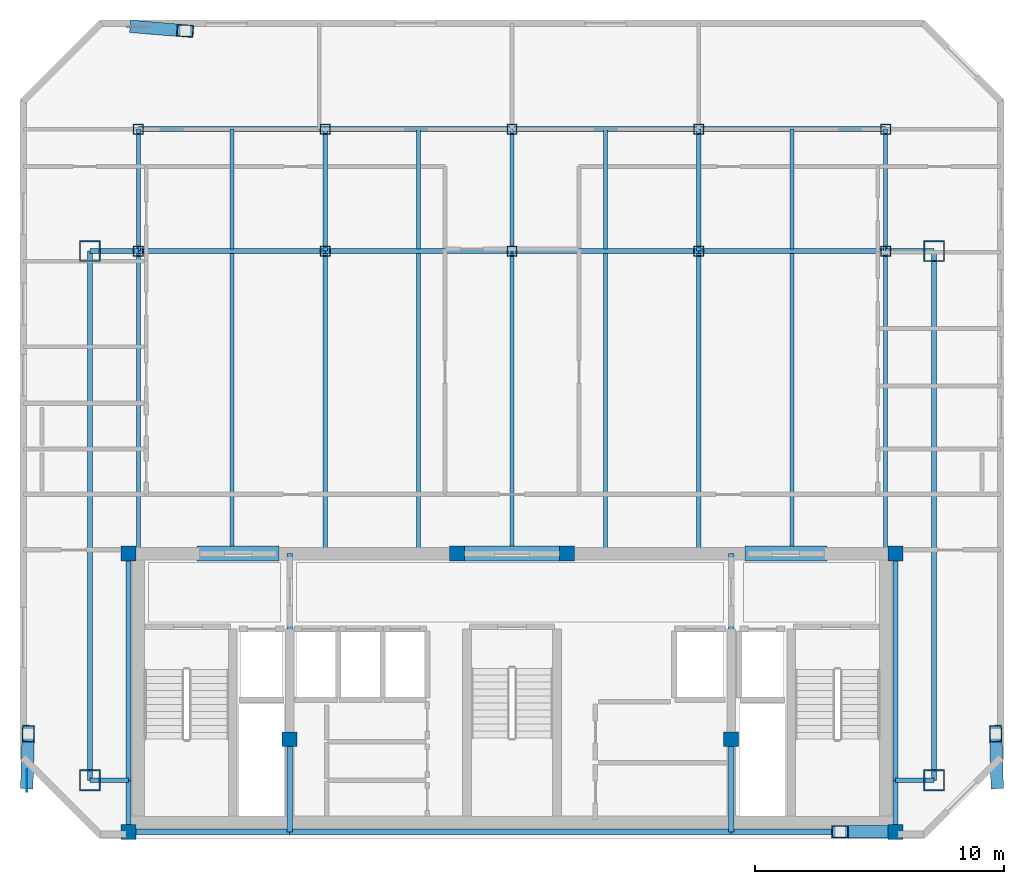
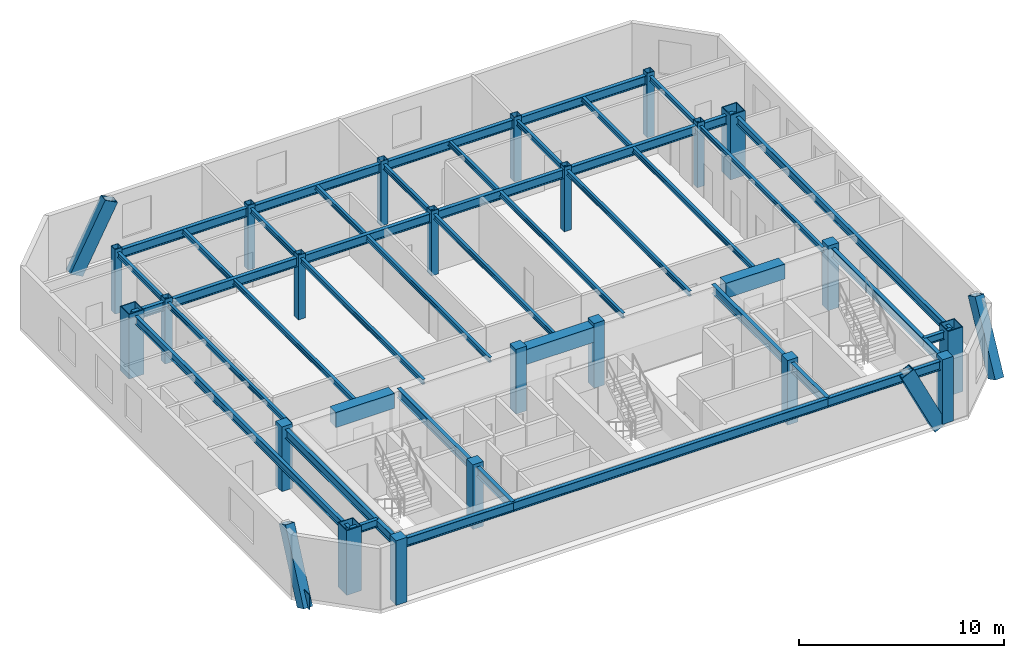
# One storey, part 1 of 7: 46 beams, 22 columns, 4 members, 1 plate.
"""IFC4 building model written with IfcOpenShell, lengths in metres."""

from ifc_helpers import new_model, si_unit, direction, frame, origin, origin_2d, place, context, subcontext, project, spatial, rectangle, hollow_rectangle, i_section, extrude, material, layer, layer_set, material_profile, profile_set, type_object, element, save


model = new_model("IFC4")

# Units and contexts
model_context = context("Model", 3, precision=1e-05, world=origin(), true_north=direction((0.0, 1.0)))
body_context = subcontext(model_context, "Body", "Model", "MODEL_VIEW")
ifc_project = project(units=[si_unit("LENGTHUNIT", "METRE"), si_unit("AREAUNIT", "SQUARE_METRE"), si_unit("VOLUMEUNIT", "CUBIC_METRE"), si_unit("PLANEANGLEUNIT", "RADIAN"), si_unit("MASSUNIT", "GRAM", prefix="KILO")], contexts=[model_context])

# Site, building, storey
site_placement = place(None, origin())
site = spatial("IfcSite", under=ifc_project, at=site_placement, CompositionType="ELEMENT")
building_placement = place(site_placement, origin())
building = spatial("IfcBuilding", under=site, at=building_placement, Name="Ventersveld Concourse Tower", CompositionType="ELEMENT")
storey_placement = place(building_placement, frame((0.0, 0.0, 316.89990234375)))
storey = spatial("IfcBuildingStorey", under=building, at=storey_placement, Name="L78", CompositionType="ELEMENT", Elevation=316.89990234375)

# Columns
ifc_material_1 = material(Name="Concrete C50/60", Category="concrete")
ifc_material_profile_1 = material_profile(ifc_material_1, rectangle(XDim=0.60009765625, YDim=0.60009765625, at=origin_2d()), Name="RC 600x600")
ifc_profile_set_1 = profile_set([ifc_material_profile_1], Name="Concrete C50/60")
column_type_1 = type_object("IfcColumnType", Name="COL-RC600", PredefinedType="COLUMN", material=ifc_profile_set_1)
for number, where, z_axis, x_axis, name in (
    (1, (13.35009765625, 0.280029296875, 0.0), (0.0, 0.0, 1.0), (1.0, 0.0, 0.0), "L78 Core Spine Column CC-SW"),
    (2, (44.14990234375, 0.280029296875, 0.0), (0.0, 0.0, 1.0), (1.0, 0.0, 0.0), "L78 Core Spine Column CC-SE"),
    (3, (13.35009765625, 11.449951171875, 0.0), (0.0, 0.0, 1.0), (1.0, 0.0, 0.0), "L78 Core Spine Column CC-NW"),
    (4, (44.14990234375, 11.449951171875, 0.0), (0.0, 0.0, 1.0), (1.0, 0.0, 0.0), "L78 Core Spine Column CC-NE"),
    (5, (19.820068359375, 4.0, 0.0), (0.0, 0.0, 1.0), (1.0, 0.0, 0.0), "L78 Core Spine Column CM-1"),
    (6, (37.550048828125, 4.0, 0.0), (0.0, 0.0, 1.0), (1.0, 0.0, 0.0), "L78 Core Spine Column CM-2"),
    (7, (26.550048828125, 11.449951171875, 0.0), (0.0, 0.0, 1.0), (1.0, 0.0, 0.0), "L78 Core Spine Column CM-3"),
    (8, (30.949951171875, 11.449951171875, 0.0), (0.0, 0.0, 1.0), (1.0, 0.0, 0.0), "L78 Core Spine Column CM-4"),
):
    element("IfcColumn", number, at=place(storey_placement, frame(where, z_axis=z_axis, x_axis=x_axis)), inside=storey, type_object=column_type_1, Name=name, PredefinedType="COLUMN", context=body_context, shape_type="SweptSolid", body=[
        extrude(rectangle(XDim=0.60009765625, YDim=0.60009765625, at=origin_2d()), origin(), (0.0, 0.0, 1.0), 3.85009765625),
    ])
ifc_material_2 = material(Name="Structural steel S355J2", Category="steel")
ifc_material_profile_2 = material_profile(ifc_material_2, hollow_rectangle(XDim=0.39990234375, YDim=0.39990234375, WallThickness=0.02001953125, at=origin_2d()), Name="SHS 400x400x20")
ifc_profile_set_2 = profile_set([ifc_material_profile_2], Name="Structural steel S355J2")
column_type_2 = type_object("IfcColumnType", Name="COL-SHS400", PredefinedType="COLUMN", material=ifc_profile_set_2)
for number, where, z_axis, x_axis, name in (
    (9, (13.75, 23.60009765625, 0.0), (0.0, 0.0, 1.0), (1.0, 0.0, 0.0), "L78 Interior Gravity Column X=13.75 Y=23.60"),
    (10, (21.25, 23.60009765625, 0.0), (0.0, 0.0, 1.0), (1.0, 0.0, 0.0), "L78 Interior Gravity Column X=21.25 Y=23.60"),
    (11, (28.75, 23.60009765625, 0.0), (0.0, 0.0, 1.0), (1.0, 0.0, 0.0), "L78 Interior Gravity Column X=28.75 Y=23.60"),
    (12, (36.25, 23.60009765625, 0.0), (0.0, 0.0, 1.0), (1.0, 0.0, 0.0), "L78 Interior Gravity Column X=36.25 Y=23.60"),
    (13, (43.75, 23.60009765625, 0.0), (0.0, 0.0, 1.0), (1.0, 0.0, 0.0), "L78 Interior Gravity Column X=43.75 Y=23.60"),
    (14, (13.75, 28.5, 0.0), (0.0, 0.0, 1.0), (1.0, 0.0, 0.0), "L78 Upper-North Gravity Column X=13.75 Y=28.50"),
    (15, (21.25, 28.5, 0.0), (0.0, 0.0, 1.0), (1.0, 0.0, 0.0), "L78 Upper-North Gravity Column X=21.25 Y=28.50"),
    (16, (28.75, 28.5, 0.0), (0.0, 0.0, 1.0), (1.0, 0.0, 0.0), "L78 Upper-North Gravity Column X=28.75 Y=28.50"),
    (17, (36.25, 28.5, 0.0), (0.0, 0.0, 1.0), (1.0, 0.0, 0.0), "L78 Upper-North Gravity Column X=36.25 Y=28.50"),
    (18, (43.75, 28.5, 0.0), (0.0, 0.0, 1.0), (1.0, 0.0, 0.0), "L78 Upper-North Gravity Column X=43.75 Y=28.50"),
):
    element("IfcColumn", number, at=place(storey_placement, frame(where, z_axis=z_axis, x_axis=x_axis)), inside=storey, type_object=column_type_2, Name=name, PredefinedType="COLUMN", context=body_context, shape_type="SweptSolid", body=[
        extrude(hollow_rectangle(XDim=0.39990234375, YDim=0.39990234375, WallThickness=0.02001953125, at=origin_2d()), origin(), (0.0, 0.0, 1.0), 3.85009765625),
    ])
ifc_material_3 = material(Name="Structural steel S460ML", Category="steel")
ifc_material_profile_3 = material_profile(ifc_material_3, hollow_rectangle(XDim=0.85009765625, YDim=0.85009765625, WallThickness=0.050048828125, at=origin_2d()), Name="BOX 850x850x50")
ifc_profile_set_3 = profile_set([ifc_material_profile_3], Name="Structural steel S460ML")
column_type_3 = type_object("IfcColumnType", Name="MC-850", PredefinedType="USERDEFINED", material=ifc_profile_set_3)
for number, where, z_axis, x_axis, name in (
    (19, (11.800048828125, 2.35009765625, 0.0), (0.0, 0.0, 1.0), (1.0, 0.0, 0.0), "L78 Corner Mega-Column MC-SW"),
    (20, (45.699951171875, 2.35009765625, 0.0), (0.0, 0.0, 1.0), (1.0, 0.0, 0.0), "L78 Corner Mega-Column MC-SE"),
    (21, (45.699951171875, 23.60009765625, 0.0), (0.0, 0.0, 1.0), (1.0, 0.0, 0.0), "L78 Corner Mega-Column MC-NE"),
    (22, (11.800048828125, 23.60009765625, 0.0), (0.0, 0.0, 1.0), (1.0, 0.0, 0.0), "L78 Corner Mega-Column MC-NW"),
):
    element("IfcColumn", number, at=place(storey_placement, frame(where, z_axis=z_axis, x_axis=x_axis)), inside=storey, type_object=column_type_3, Name=name, ObjectType="MEGA_COLUMN", PredefinedType="USERDEFINED", context=body_context, shape_type="SweptSolid", body=[
        extrude(hollow_rectangle(XDim=0.85009765625, YDim=0.85009765625, WallThickness=0.050048828125, at=origin_2d()), origin(), (0.0, 0.0, 1.0), 3.85009765625),
    ])

# Beams
ifc_material_profile_4 = material_profile(ifc_material_2, i_section(OverallWidth=0.1650390625, OverallDepth=0.303466796875, WebThickness=0.006103515625, FlangeThickness=0.01025390625, FilletRadius=0.0087890625, at=origin_2d()), Name="UB 305x165x40")
ifc_profile_set_4 = profile_set([ifc_material_profile_4], Name="Structural steel S355J2")
beam_type_1 = type_object("IfcBeamType", Name="BM-UB305", PredefinedType="BEAM", material=ifc_profile_set_4)
beam_1_placement = place(storey_placement, frame((13.75, 11.449951171875, 3.498291015625), z_axis=(0.0, 1.0, 0.0), x_axis=(-1.0, 0.0, 0.0)))
element("IfcBeam", 23, at=beam_1_placement, inside=storey, type_object=beam_type_1, Name="L78 N-S Composite Floor Beam South X=13.75", PredefinedType="BEAM", context=body_context, shape_type="SweptSolid", body=[
    extrude(i_section(OverallWidth=0.1650390625, OverallDepth=0.303466796875, WebThickness=0.006103515625, FlangeThickness=0.01025390625, FilletRadius=0.0087890625, at=origin_2d()), origin(), (0.0, 0.0, 1.0), 12.150146484375),
])
beam_2_placement = place(storey_placement, frame((13.75, 23.60009765625, 3.498291015625), z_axis=(0.0, 1.0, 0.0), x_axis=(-1.0, 0.0, 0.0)))
element("IfcBeam", 24, at=beam_2_placement, inside=storey, type_object=beam_type_1, Name="L78 N-S Upper-Zone Floor Beam X=13.75", PredefinedType="BEAM", context=body_context, shape_type="SweptSolid", body=[
    extrude(i_section(OverallWidth=0.1650390625, OverallDepth=0.303466796875, WebThickness=0.006103515625, FlangeThickness=0.01025390625, FilletRadius=0.0087890625, at=origin_2d()), origin(), (0.0, 0.0, 1.0), 4.89990234375),
])
beam_3_placement = place(storey_placement, frame((17.5, 11.449951171875, 3.498291015625), z_axis=(0.0, 1.0, 0.0), x_axis=(-1.0, 0.0, 0.0)))
element("IfcBeam", 25, at=beam_3_placement, inside=storey, type_object=beam_type_1, Name="L78 N-S Composite Floor Beam South X=17.50", PredefinedType="BEAM", context=body_context, shape_type="SweptSolid", body=[
    extrude(i_section(OverallWidth=0.1650390625, OverallDepth=0.303466796875, WebThickness=0.006103515625, FlangeThickness=0.01025390625, FilletRadius=0.0087890625, at=origin_2d()), origin(), (0.0, 0.0, 1.0), 12.054931640625),
])
beam_4_placement = place(storey_placement, frame((17.5, 23.695068359375, 3.498291015625), z_axis=(0.0, 1.0, 0.0), x_axis=(-1.0, 0.0, 0.0)))
element("IfcBeam", 26, at=beam_4_placement, inside=storey, type_object=beam_type_1, Name="L78 N-S Upper-Zone Floor Beam X=17.50", PredefinedType="BEAM", context=body_context, shape_type="SweptSolid", body=[
    extrude(i_section(OverallWidth=0.1650390625, OverallDepth=0.303466796875, WebThickness=0.006103515625, FlangeThickness=0.01025390625, FilletRadius=0.0087890625, at=origin_2d()), origin(), (0.0, 0.0, 1.0), 4.804931640625),
])
beam_5_placement = place(storey_placement, frame((21.25, 11.449951171875, 3.498291015625), z_axis=(0.0, 1.0, 0.0), x_axis=(-1.0, 0.0, 0.0)))
element("IfcBeam", 27, at=beam_5_placement, inside=storey, type_object=beam_type_1, Name="L78 N-S Composite Floor Beam South X=21.25", PredefinedType="BEAM", context=body_context, shape_type="SweptSolid", body=[
    extrude(i_section(OverallWidth=0.1650390625, OverallDepth=0.303466796875, WebThickness=0.006103515625, FlangeThickness=0.01025390625, FilletRadius=0.0087890625, at=origin_2d()), origin(), (0.0, 0.0, 1.0), 12.150146484375),
])
beam_6_placement = place(storey_placement, frame((21.25, 23.60009765625, 3.498291015625), z_axis=(0.0, 1.0, 0.0), x_axis=(-1.0, 0.0, 0.0)))
element("IfcBeam", 28, at=beam_6_placement, inside=storey, type_object=beam_type_1, Name="L78 N-S Upper-Zone Floor Beam X=21.25", PredefinedType="BEAM", context=body_context, shape_type="SweptSolid", body=[
    extrude(i_section(OverallWidth=0.1650390625, OverallDepth=0.303466796875, WebThickness=0.006103515625, FlangeThickness=0.01025390625, FilletRadius=0.0087890625, at=origin_2d()), origin(), (0.0, 0.0, 1.0), 4.89990234375),
])
beam_7_placement = place(storey_placement, frame((25.0, 11.449951171875, 3.498291015625), z_axis=(0.0, 1.0, 0.0), x_axis=(-1.0, 0.0, 0.0)))
element("IfcBeam", 29, at=beam_7_placement, inside=storey, type_object=beam_type_1, Name="L78 N-S Composite Floor Beam South X=25.00", PredefinedType="BEAM", context=body_context, shape_type="SweptSolid", body=[
    extrude(i_section(OverallWidth=0.1650390625, OverallDepth=0.303466796875, WebThickness=0.006103515625, FlangeThickness=0.01025390625, FilletRadius=0.0087890625, at=origin_2d()), origin(), (0.0, 0.0, 1.0), 12.054931640625),
])
beam_8_placement = place(storey_placement, frame((25.0, 23.695068359375, 3.498291015625), z_axis=(0.0, 1.0, 0.0), x_axis=(-1.0, 0.0, 0.0)))
element("IfcBeam", 30, at=beam_8_placement, inside=storey, type_object=beam_type_1, Name="L78 N-S Upper-Zone Floor Beam X=25.00", PredefinedType="BEAM", context=body_context, shape_type="SweptSolid", body=[
    extrude(i_section(OverallWidth=0.1650390625, OverallDepth=0.303466796875, WebThickness=0.006103515625, FlangeThickness=0.01025390625, FilletRadius=0.0087890625, at=origin_2d()), origin(), (0.0, 0.0, 1.0), 4.804931640625),
])
beam_9_placement = place(storey_placement, frame((28.75, 11.449951171875, 3.498291015625), z_axis=(0.0, 1.0, 0.0), x_axis=(-1.0, 0.0, 0.0)))
element("IfcBeam", 31, at=beam_9_placement, inside=storey, type_object=beam_type_1, Name="L78 N-S Composite Floor Beam South X=28.75", PredefinedType="BEAM", context=body_context, shape_type="SweptSolid", body=[
    extrude(i_section(OverallWidth=0.1650390625, OverallDepth=0.303466796875, WebThickness=0.006103515625, FlangeThickness=0.01025390625, FilletRadius=0.0087890625, at=origin_2d()), origin(), (0.0, 0.0, 1.0), 12.150146484375),
])
beam_10_placement = place(storey_placement, frame((28.75, 23.60009765625, 3.498291015625), z_axis=(0.0, 1.0, 0.0), x_axis=(-1.0, 0.0, 0.0)))
element("IfcBeam", 32, at=beam_10_placement, inside=storey, type_object=beam_type_1, Name="L78 N-S Upper-Zone Floor Beam X=28.75", PredefinedType="BEAM", context=body_context, shape_type="SweptSolid", body=[
    extrude(i_section(OverallWidth=0.1650390625, OverallDepth=0.303466796875, WebThickness=0.006103515625, FlangeThickness=0.01025390625, FilletRadius=0.0087890625, at=origin_2d()), origin(), (0.0, 0.0, 1.0), 4.89990234375),
])
beam_11_placement = place(storey_placement, frame((32.5, 11.449951171875, 3.498291015625), z_axis=(0.0, 1.0, 0.0), x_axis=(-1.0, 0.0, 0.0)))
element("IfcBeam", 33, at=beam_11_placement, inside=storey, type_object=beam_type_1, Name="L78 N-S Composite Floor Beam South X=32.50", PredefinedType="BEAM", context=body_context, shape_type="SweptSolid", body=[
    extrude(i_section(OverallWidth=0.1650390625, OverallDepth=0.303466796875, WebThickness=0.006103515625, FlangeThickness=0.01025390625, FilletRadius=0.0087890625, at=origin_2d()), origin(), (0.0, 0.0, 1.0), 12.054931640625),
])
beam_12_placement = place(storey_placement, frame((32.5, 23.695068359375, 3.498291015625), z_axis=(0.0, 1.0, 0.0), x_axis=(-1.0, 0.0, 0.0)))
element("IfcBeam", 34, at=beam_12_placement, inside=storey, type_object=beam_type_1, Name="L78 N-S Upper-Zone Floor Beam X=32.50", PredefinedType="BEAM", context=body_context, shape_type="SweptSolid", body=[
    extrude(i_section(OverallWidth=0.1650390625, OverallDepth=0.303466796875, WebThickness=0.006103515625, FlangeThickness=0.01025390625, FilletRadius=0.0087890625, at=origin_2d()), origin(), (0.0, 0.0, 1.0), 4.804931640625),
])
beam_13_placement = place(storey_placement, frame((36.25, 11.449951171875, 3.498291015625), z_axis=(0.0, 1.0, 0.0), x_axis=(-1.0, 0.0, 0.0)))
element("IfcBeam", 35, at=beam_13_placement, inside=storey, type_object=beam_type_1, Name="L78 N-S Composite Floor Beam South X=36.25", PredefinedType="BEAM", context=body_context, shape_type="SweptSolid", body=[
    extrude(i_section(OverallWidth=0.1650390625, OverallDepth=0.303466796875, WebThickness=0.006103515625, FlangeThickness=0.01025390625, FilletRadius=0.0087890625, at=origin_2d()), origin(), (0.0, 0.0, 1.0), 12.150146484375),
])
beam_14_placement = place(storey_placement, frame((36.25, 23.60009765625, 3.498291015625), z_axis=(0.0, 1.0, 0.0), x_axis=(-1.0, 0.0, 0.0)))
element("IfcBeam", 36, at=beam_14_placement, inside=storey, type_object=beam_type_1, Name="L78 N-S Upper-Zone Floor Beam X=36.25", PredefinedType="BEAM", context=body_context, shape_type="SweptSolid", body=[
    extrude(i_section(OverallWidth=0.1650390625, OverallDepth=0.303466796875, WebThickness=0.006103515625, FlangeThickness=0.01025390625, FilletRadius=0.0087890625, at=origin_2d()), origin(), (0.0, 0.0, 1.0), 4.89990234375),
])
beam_15_placement = place(storey_placement, frame((40.0, 11.449951171875, 3.498291015625), z_axis=(0.0, 1.0, 0.0), x_axis=(-1.0, 0.0, 0.0)))
element("IfcBeam", 37, at=beam_15_placement, inside=storey, type_object=beam_type_1, Name="L78 N-S Composite Floor Beam South X=40.00", PredefinedType="BEAM", context=body_context, shape_type="SweptSolid", body=[
    extrude(i_section(OverallWidth=0.1650390625, OverallDepth=0.303466796875, WebThickness=0.006103515625, FlangeThickness=0.01025390625, FilletRadius=0.0087890625, at=origin_2d()), origin(), (0.0, 0.0, 1.0), 12.054931640625),
])
beam_16_placement = place(storey_placement, frame((40.0, 23.695068359375, 3.498291015625), z_axis=(0.0, 1.0, 0.0), x_axis=(-1.0, 0.0, 0.0)))
element("IfcBeam", 38, at=beam_16_placement, inside=storey, type_object=beam_type_1, Name="L78 N-S Upper-Zone Floor Beam X=40.00", PredefinedType="BEAM", context=body_context, shape_type="SweptSolid", body=[
    extrude(i_section(OverallWidth=0.1650390625, OverallDepth=0.303466796875, WebThickness=0.006103515625, FlangeThickness=0.01025390625, FilletRadius=0.0087890625, at=origin_2d()), origin(), (0.0, 0.0, 1.0), 4.804931640625),
])
beam_17_placement = place(storey_placement, frame((43.75, 11.449951171875, 3.498291015625), z_axis=(0.0, 1.0, 0.0), x_axis=(-1.0, 0.0, 0.0)))
element("IfcBeam", 39, at=beam_17_placement, inside=storey, type_object=beam_type_1, Name="L78 N-S Composite Floor Beam South X=43.75", PredefinedType="BEAM", context=body_context, shape_type="SweptSolid", body=[
    extrude(i_section(OverallWidth=0.1650390625, OverallDepth=0.303466796875, WebThickness=0.006103515625, FlangeThickness=0.01025390625, FilletRadius=0.0087890625, at=origin_2d()), origin(), (0.0, 0.0, 1.0), 12.150146484375),
])
beam_18_placement = place(storey_placement, frame((43.75, 23.60009765625, 3.498291015625), z_axis=(0.0, 1.0, 0.0), x_axis=(-1.0, 0.0, 0.0)))
element("IfcBeam", 40, at=beam_18_placement, inside=storey, type_object=beam_type_1, Name="L78 N-S Upper-Zone Floor Beam X=43.75", PredefinedType="BEAM", context=body_context, shape_type="SweptSolid", body=[
    extrude(i_section(OverallWidth=0.1650390625, OverallDepth=0.303466796875, WebThickness=0.006103515625, FlangeThickness=0.01025390625, FilletRadius=0.0087890625, at=origin_2d()), origin(), (0.0, 0.0, 1.0), 4.89990234375),
])
ifc_material_profile_5 = material_profile(ifc_material_1, rectangle(XDim=0.60009765625, YDim=0.89990234375, at=origin_2d()), Name="RC 600x900")
ifc_profile_set_5 = profile_set([ifc_material_profile_5], Name="Concrete C50/60")
beam_type_2 = type_object("IfcBeamType", Name="CB-RC600x900U", PredefinedType="LINTEL", material=ifc_profile_set_5)
beam_19_placement = place(storey_placement, frame((16.10009765625, 11.449951171875, 3.2001953125), z_axis=(1.0, 0.0, 0.0), x_axis=(0.0, 1.0, 0.0)))
element("IfcBeam", 41, at=beam_19_placement, inside=storey, type_object=beam_type_2, Name="L78 Core Coupling Lintel Beam 1", PredefinedType="LINTEL", context=body_context, shape_type="SweptSolid", body=[
    extrude(rectangle(XDim=0.60009765625, YDim=0.89990234375, at=origin_2d()), origin(), (0.0, 0.0, 1.0), 3.2998046875),
])
beam_20_placement = place(storey_placement, frame((26.5, 11.449951171875, 3.2001953125), z_axis=(1.0, 0.0, 0.0), x_axis=(0.0, 1.0, 0.0)))
element("IfcBeam", 42, at=beam_20_placement, inside=storey, type_object=beam_type_2, Name="L78 Core Coupling Lintel Beam 2", PredefinedType="LINTEL", context=body_context, shape_type="SweptSolid", body=[
    extrude(rectangle(XDim=0.60009765625, YDim=0.89990234375, at=origin_2d()), origin(), (0.0, 0.0, 1.0), 4.5),
])
beam_21_placement = place(storey_placement, frame((38.10009765625, 11.449951171875, 3.2001953125), z_axis=(1.0, 0.0, 0.0), x_axis=(0.0, 1.0, 0.0)))
element("IfcBeam", 43, at=beam_21_placement, inside=storey, type_object=beam_type_2, Name="L78 Core Coupling Lintel Beam 3", PredefinedType="LINTEL", context=body_context, shape_type="SweptSolid", body=[
    extrude(rectangle(XDim=0.60009765625, YDim=0.89990234375, at=origin_2d()), origin(), (0.0, 0.0, 1.0), 3.2998046875),
])
ifc_material_profile_6 = material_profile(ifc_material_2, i_section(OverallWidth=0.209228515625, OverallDepth=0.533203125, WebThickness=0.010009765625, FlangeThickness=0.015625, FilletRadius=0.0126953125, at=origin_2d()), Name="UB 533x210x92")
ifc_profile_set_6 = profile_set([ifc_material_profile_6], Name="Structural steel S355J2")
beam_type_3 = type_object("IfcBeamType", Name="GRD-UB533", PredefinedType="T_BEAM", material=ifc_profile_set_6)
beam_22_placement = place(storey_placement, frame((11.800048828125, 23.60009765625, 3.383544921875), z_axis=(1.0, 0.0, 0.0), x_axis=(0.0, 1.0, 0.0)))
element("IfcBeam", 44, at=beam_22_placement, inside=storey, type_object=beam_type_3, Name="L78 Primary E-W Grid Girder Y=23.60 #1", PredefinedType="T_BEAM", context=body_context, shape_type="SweptSolid", body=[
    extrude(i_section(OverallWidth=0.209228515625, OverallDepth=0.533203125, WebThickness=0.010009765625, FlangeThickness=0.015625, FilletRadius=0.0126953125, at=origin_2d()), origin(), (0.0, 0.0, 1.0), 1.949951171875),
])
for number, where, z_axis, x_axis, name in (
    (45, (13.75, 23.60009765625, 3.383544921875), (1.0, 0.0, 0.0), (0.0, 1.0, 0.0), "L78 Primary E-W Grid Girder Y=23.60 #2"),
    (46, (21.25, 23.60009765625, 3.383544921875), (1.0, 0.0, 0.0), (0.0, 1.0, 0.0), "L78 Primary E-W Grid Girder Y=23.60 #3"),
    (47, (28.75, 23.60009765625, 3.383544921875), (1.0, 0.0, 0.0), (0.0, 1.0, 0.0), "L78 Primary E-W Grid Girder Y=23.60 #4"),
    (48, (36.25, 23.60009765625, 3.383544921875), (1.0, 0.0, 0.0), (0.0, 1.0, 0.0), "L78 Primary E-W Grid Girder Y=23.60 #5"),
):
    element("IfcBeam", number, at=place(storey_placement, frame(where, z_axis=z_axis, x_axis=x_axis)), inside=storey, type_object=beam_type_3, Name=name, PredefinedType="T_BEAM", context=body_context, shape_type="SweptSolid", body=[
        extrude(i_section(OverallWidth=0.209228515625, OverallDepth=0.533203125, WebThickness=0.010009765625, FlangeThickness=0.015625, FilletRadius=0.0126953125, at=origin_2d()), origin(), (0.0, 0.0, 1.0), 7.5),
    ])
beam_23_placement = place(storey_placement, frame((43.75, 23.60009765625, 3.383544921875), z_axis=(1.0, 0.0, 0.0), x_axis=(0.0, 1.0, 0.0)))
element("IfcBeam", 49, at=beam_23_placement, inside=storey, type_object=beam_type_3, Name="L78 Primary E-W Grid Girder Y=23.60 #6", PredefinedType="T_BEAM", context=body_context, shape_type="SweptSolid", body=[
    extrude(i_section(OverallWidth=0.209228515625, OverallDepth=0.533203125, WebThickness=0.010009765625, FlangeThickness=0.015625, FilletRadius=0.0126953125, at=origin_2d()), origin(), (0.0, 0.0, 1.0), 1.949951171875),
])
for number, where, z_axis, x_axis, name in (
    (50, (13.75, 28.5, 3.383544921875), (1.0, 0.0, 0.0), (0.0, 1.0, 0.0), "L78 Upper-North E-W Girder Y=28.50 #1"),
    (51, (21.25, 28.5, 3.383544921875), (1.0, 0.0, 0.0), (0.0, 1.0, 0.0), "L78 Upper-North E-W Girder Y=28.50 #2"),
    (52, (28.75, 28.5, 3.383544921875), (1.0, 0.0, 0.0), (0.0, 1.0, 0.0), "L78 Upper-North E-W Girder Y=28.50 #3"),
    (53, (36.25, 28.5, 3.383544921875), (1.0, 0.0, 0.0), (0.0, 1.0, 0.0), "L78 Upper-North E-W Girder Y=28.50 #4"),
):
    element("IfcBeam", number, at=place(storey_placement, frame(where, z_axis=z_axis, x_axis=x_axis)), inside=storey, type_object=beam_type_3, Name=name, PredefinedType="T_BEAM", context=body_context, shape_type="SweptSolid", body=[
        extrude(i_section(OverallWidth=0.209228515625, OverallDepth=0.533203125, WebThickness=0.010009765625, FlangeThickness=0.015625, FilletRadius=0.0126953125, at=origin_2d()), origin(), (0.0, 0.0, 1.0), 7.5),
    ])
ifc_material_profile_7 = material_profile(ifc_material_2, i_section(OverallWidth=0.2119140625, OverallDepth=0.54443359375, WebThickness=0.0126953125, FlangeThickness=0.021240234375, FilletRadius=0.0126953125, at=origin_2d()), Name="UB 533x210x122")
ifc_profile_set_7 = profile_set([ifc_material_profile_7], Name="Structural steel S355J2")
beam_type_4 = type_object("IfcBeamType", Name="GRD-UB533H", PredefinedType="T_BEAM", material=ifc_profile_set_7)
beam_24_placement = place(storey_placement, frame((13.35009765625, 0.280029296875, 3.3779296875), z_axis=(0.0, 1.0, 0.0), x_axis=(-1.0, 0.0, 0.0)))
element("IfcBeam", 54, at=beam_24_placement, inside=storey, type_object=beam_type_4, Name="L78 Core West Tie Beam S", PredefinedType="T_BEAM", context=body_context, shape_type="SweptSolid", body=[
    extrude(i_section(OverallWidth=0.2119140625, OverallDepth=0.54443359375, WebThickness=0.0126953125, FlangeThickness=0.021240234375, FilletRadius=0.0126953125, at=origin_2d()), origin(), (0.0, 0.0, 1.0), 2.070068359375),
])
beam_25_placement = place(storey_placement, frame((13.35009765625, 2.35009765625, 3.3779296875), z_axis=(0.0, 1.0, 0.0), x_axis=(-1.0, 0.0, 0.0)))
element("IfcBeam", 55, at=beam_25_placement, inside=storey, type_object=beam_type_4, Name="L78 Core West Tie Beam N", PredefinedType="T_BEAM", context=body_context, shape_type="SweptSolid", body=[
    extrude(i_section(OverallWidth=0.2119140625, OverallDepth=0.54443359375, WebThickness=0.0126953125, FlangeThickness=0.021240234375, FilletRadius=0.0126953125, at=origin_2d()), origin(), (0.0, 0.0, 1.0), 9.099853515625),
])
beam_26_placement = place(storey_placement, frame((44.14990234375, 0.280029296875, 3.3779296875), z_axis=(0.0, 1.0, 0.0), x_axis=(-1.0, 0.0, 0.0)))
element("IfcBeam", 56, at=beam_26_placement, inside=storey, type_object=beam_type_4, Name="L78 Core East Tie Beam S", PredefinedType="T_BEAM", context=body_context, shape_type="SweptSolid", body=[
    extrude(i_section(OverallWidth=0.2119140625, OverallDepth=0.54443359375, WebThickness=0.0126953125, FlangeThickness=0.021240234375, FilletRadius=0.0126953125, at=origin_2d()), origin(), (0.0, 0.0, 1.0), 2.070068359375),
])
beam_27_placement = place(storey_placement, frame((44.14990234375, 2.35009765625, 3.3779296875), z_axis=(0.0, 1.0, 0.0), x_axis=(-1.0, 0.0, 0.0)))
element("IfcBeam", 57, at=beam_27_placement, inside=storey, type_object=beam_type_4, Name="L78 Core East Tie Beam N", PredefinedType="T_BEAM", context=body_context, shape_type="SweptSolid", body=[
    extrude(i_section(OverallWidth=0.2119140625, OverallDepth=0.54443359375, WebThickness=0.0126953125, FlangeThickness=0.021240234375, FilletRadius=0.0126953125, at=origin_2d()), origin(), (0.0, 0.0, 1.0), 9.099853515625),
])
beam_28_placement = place(storey_placement, frame((13.35009765625, 0.280029296875, 3.3779296875), z_axis=(1.0, 0.0, 0.0), x_axis=(0.0, 1.0, 0.0)))
element("IfcBeam", 58, at=beam_28_placement, inside=storey, type_object=beam_type_4, Name="L78 Core South Tie Beam W", PredefinedType="T_BEAM", context=body_context, shape_type="SweptSolid", body=[
    extrude(i_section(OverallWidth=0.2119140625, OverallDepth=0.54443359375, WebThickness=0.0126953125, FlangeThickness=0.021240234375, FilletRadius=0.0126953125, at=origin_2d()), origin(), (0.0, 0.0, 1.0), 6.469970703125),
])
beam_29_placement = place(storey_placement, frame((19.820068359375, 0.280029296875, 3.3779296875), z_axis=(1.0, 0.0, 0.0), x_axis=(0.0, 1.0, 0.0)))
element("IfcBeam", 59, at=beam_29_placement, inside=storey, type_object=beam_type_4, Name="L78 Core South Tie Beam C", PredefinedType="T_BEAM", context=body_context, shape_type="SweptSolid", body=[
    extrude(i_section(OverallWidth=0.2119140625, OverallDepth=0.54443359375, WebThickness=0.0126953125, FlangeThickness=0.021240234375, FilletRadius=0.0126953125, at=origin_2d()), origin(), (0.0, 0.0, 1.0), 17.72998046875),
])
beam_30_placement = place(storey_placement, frame((37.550048828125, 0.280029296875, 3.3779296875), z_axis=(1.0, 0.0, 0.0), x_axis=(0.0, 1.0, 0.0)))
element("IfcBeam", 60, at=beam_30_placement, inside=storey, type_object=beam_type_4, Name="L78 Core South Tie Beam E", PredefinedType="T_BEAM", context=body_context, shape_type="SweptSolid", body=[
    extrude(i_section(OverallWidth=0.2119140625, OverallDepth=0.54443359375, WebThickness=0.0126953125, FlangeThickness=0.021240234375, FilletRadius=0.0126953125, at=origin_2d()), origin(), (0.0, 0.0, 1.0), 6.599853515625),
])
beam_31_placement = place(storey_placement, frame((19.820068359375, 0.280029296875, 3.3779296875), z_axis=(0.0, 1.0, 0.0), x_axis=(-1.0, 0.0, 0.0)))
element("IfcBeam", 61, at=beam_31_placement, inside=storey, type_object=beam_type_4, Name="L78 Core Spine N-S Tie Beam W1", PredefinedType="T_BEAM", context=body_context, shape_type="SweptSolid", body=[
    extrude(i_section(OverallWidth=0.2119140625, OverallDepth=0.54443359375, WebThickness=0.0126953125, FlangeThickness=0.021240234375, FilletRadius=0.0126953125, at=origin_2d()), origin(), (0.0, 0.0, 1.0), 3.719970703125),
])
beam_32_placement = place(storey_placement, frame((19.820068359375, 4.0, 3.3779296875), z_axis=(0.0, 1.0, 0.0), x_axis=(-1.0, 0.0, 0.0)))
element("IfcBeam", 62, at=beam_32_placement, inside=storey, type_object=beam_type_4, Name="L78 Core Spine N-S Tie Beam W2", PredefinedType="T_BEAM", context=body_context, shape_type="SweptSolid", body=[
    extrude(i_section(OverallWidth=0.2119140625, OverallDepth=0.54443359375, WebThickness=0.0126953125, FlangeThickness=0.021240234375, FilletRadius=0.0126953125, at=origin_2d()), origin(), (0.0, 0.0, 1.0), 7.449951171875),
])
beam_33_placement = place(storey_placement, frame((37.550048828125, 0.280029296875, 3.3779296875), z_axis=(0.0, 1.0, 0.0), x_axis=(-1.0, 0.0, 0.0)))
element("IfcBeam", 63, at=beam_33_placement, inside=storey, type_object=beam_type_4, Name="L78 Core Spine N-S Tie Beam E1", PredefinedType="T_BEAM", context=body_context, shape_type="SweptSolid", body=[
    extrude(i_section(OverallWidth=0.2119140625, OverallDepth=0.54443359375, WebThickness=0.0126953125, FlangeThickness=0.021240234375, FilletRadius=0.0126953125, at=origin_2d()), origin(), (0.0, 0.0, 1.0), 3.719970703125),
])
beam_34_placement = place(storey_placement, frame((37.550048828125, 4.0, 3.3779296875), z_axis=(0.0, 1.0, 0.0), x_axis=(-1.0, 0.0, 0.0)))
element("IfcBeam", 64, at=beam_34_placement, inside=storey, type_object=beam_type_4, Name="L78 Core Spine N-S Tie Beam E2", PredefinedType="T_BEAM", context=body_context, shape_type="SweptSolid", body=[
    extrude(i_section(OverallWidth=0.2119140625, OverallDepth=0.54443359375, WebThickness=0.0126953125, FlangeThickness=0.021240234375, FilletRadius=0.0126953125, at=origin_2d()), origin(), (0.0, 0.0, 1.0), 7.449951171875),
])

# Members
ifc_material_4 = material(Name="Structural steel S355ML", Category="steel")
ifc_material_profile_8 = material_profile(ifc_material_4, hollow_rectangle(XDim=0.5, YDim=0.75, WallThickness=0.034912109375, at=origin_2d()), Name="BOX 750x500x35")
ifc_profile_set_8 = profile_set([ifc_material_profile_8], Name="Structural steel S355ML")
member_type = type_object("IfcMemberType", Name="MB-750x500", PredefinedType="BRACE", material=ifc_profile_set_8)
member_1_placement = place(storey_placement, frame((13.75, 32.601806640625, -0.199951171875), z_axis=(0.43755643598, -0.035950274883, 0.89847200461), x_axis=(0.08188553882, 0.996641740312, 0.0)))
element("IfcMember", 65, at=member_1_placement, inside=storey, type_object=member_type, Name="L78 Exterior Mega-Brace N (Module M19)", PredefinedType="BRACE", context=body_context, shape_type="SweptSolid", body=[
    extrude(hollow_rectangle(XDim=0.5, YDim=0.75, WallThickness=0.034912109375, at=origin_2d()), origin(), (0.0, 0.0, 1.0), 4.28515625),
])
member_2_placement = place(storey_placement, frame((43.800048828125, 0.280029296875, -0.199951171875), z_axis=(-0.437839464193, 0.0, 0.899053170616), x_axis=(0.0, -1.0, 0.0)))
element("IfcMember", 66, at=member_2_placement, inside=storey, type_object=member_type, Name="L78 Exterior Mega-Brace S (Module M19)", PredefinedType="BRACE", context=body_context, shape_type="SweptSolid", body=[
    extrude(hollow_rectangle(XDim=0.5, YDim=0.75, WallThickness=0.034912109375, at=origin_2d()), origin(), (0.0, 0.0, 1.0), 4.282470703125),
])
for number, where, z_axis, x_axis, name in (
    (67, (9.27294921875, 2.35009765625, -0.199951171875), (0.012484292972, 0.437805342566, 0.898983105764), (-0.999593677347, 0.028504038456, 0.0), "L78 Exterior Mega-Brace W (Module M19)"),
    (68, (48.22705078125, 2.35009765625, -0.199951171875), (-0.012484292972, 0.437805342566, 0.898983105764), (-0.999593677347, -0.028504038456, 0.0), "L78 Exterior Mega-Brace E (Module M19)"),
):
    element("IfcMember", number, at=place(storey_placement, frame(where, z_axis=z_axis, x_axis=x_axis)), inside=storey, type_object=member_type, Name=name, PredefinedType="BRACE", context=body_context, shape_type="SweptSolid", body=[
        extrude(hollow_rectangle(XDim=0.5, YDim=0.75, WallThickness=0.034912109375, at=origin_2d()), origin(), (0.0, 0.0, 1.0), 4.28271484375),
    ])

# Beams
ifc_material_profile_9 = material_profile(ifc_material_2, i_section(OverallWidth=0.19140625, OverallDepth=0.4599609375, WebThickness=0.010009765625, FlangeThickness=0.01611328125, FilletRadius=0.01025390625, at=origin_2d()), Name="UB 457x191x82")
ifc_profile_set_9 = profile_set([ifc_material_profile_9], Name="Structural steel S355J2")
beam_type_5 = type_object("IfcBeamType", Name="SPD-UB457", PredefinedType="SPANDREL", material=ifc_profile_set_9)
for number, where, z_axis, x_axis, name in (
    (69, (11.800048828125, 2.35009765625, 3.420166015625), (1.0, 0.0, 0.0), (0.0, 1.0, 0.0), "L78 SW Spandrel Beam"),
    (70, (44.14990234375, 2.35009765625, 3.420166015625), (1.0, 0.0, 0.0), (0.0, 1.0, 0.0), "L78 SE Spandrel Beam"),
):
    element("IfcBeam", number, at=place(storey_placement, frame(where, z_axis=z_axis, x_axis=x_axis)), inside=storey, type_object=beam_type_5, Name=name, PredefinedType="SPANDREL", context=body_context, shape_type="SweptSolid", body=[
        extrude(i_section(OverallWidth=0.19140625, OverallDepth=0.4599609375, WebThickness=0.010009765625, FlangeThickness=0.01611328125, FilletRadius=0.01025390625, at=origin_2d()), origin(), (0.0, 0.0, 1.0), 1.550048828125),
    ])
for number, where, z_axis, x_axis, name in (
    (71, (11.800048828125, 2.35009765625, 3.420166015625), (0.0, 1.0, 0.0), (-1.0, 0.0, 0.0), "L78 West Spandrel Beam"),
    (72, (45.699951171875, 2.35009765625, 3.420166015625), (0.0, 1.0, 0.0), (-1.0, 0.0, 0.0), "L78 East Spandrel Beam"),
):
    element("IfcBeam", number, at=place(storey_placement, frame(where, z_axis=z_axis, x_axis=x_axis)), inside=storey, type_object=beam_type_5, Name=name, PredefinedType="SPANDREL", context=body_context, shape_type="SweptSolid", body=[
        extrude(i_section(OverallWidth=0.19140625, OverallDepth=0.4599609375, WebThickness=0.010009765625, FlangeThickness=0.01611328125, FilletRadius=0.01025390625, at=origin_2d()), origin(), (0.0, 0.0, 1.0), 21.25),
    ])

# Plate
ifc_layer = layer(ifc_material_2, 0.030029296875)
ifc_layer_set = layer_set([ifc_layer], Name="Structural steel S355J2")
plate_type = type_object("IfcPlateType", Name="PL-CAP-30", PredefinedType="USERDEFINED", material=ifc_layer_set)
plate_placement = place(storey_placement, frame((9.27294921875, 2.35009765625, -0.099853515625), z_axis=(0.0, 0.0, 1.0), x_axis=(0.0, 1.0, 0.0)))
element("IfcPlate", 73, at=plate_placement, inside=storey, type_object=plate_type, Name="L78 Mega-Brace Gusset Node Plate M19-W", ObjectType="GUSSET_PLATE", PredefinedType="USERDEFINED", context=body_context, shape_type="SweptSolid", body=[
    extrude(rectangle(XDim=0.89990234375, YDim=0.030029296875, at=origin_2d()), origin(), (0.0, 0.0, 1.0), 0.89990234375),
])

save(model, "model.ifc")
